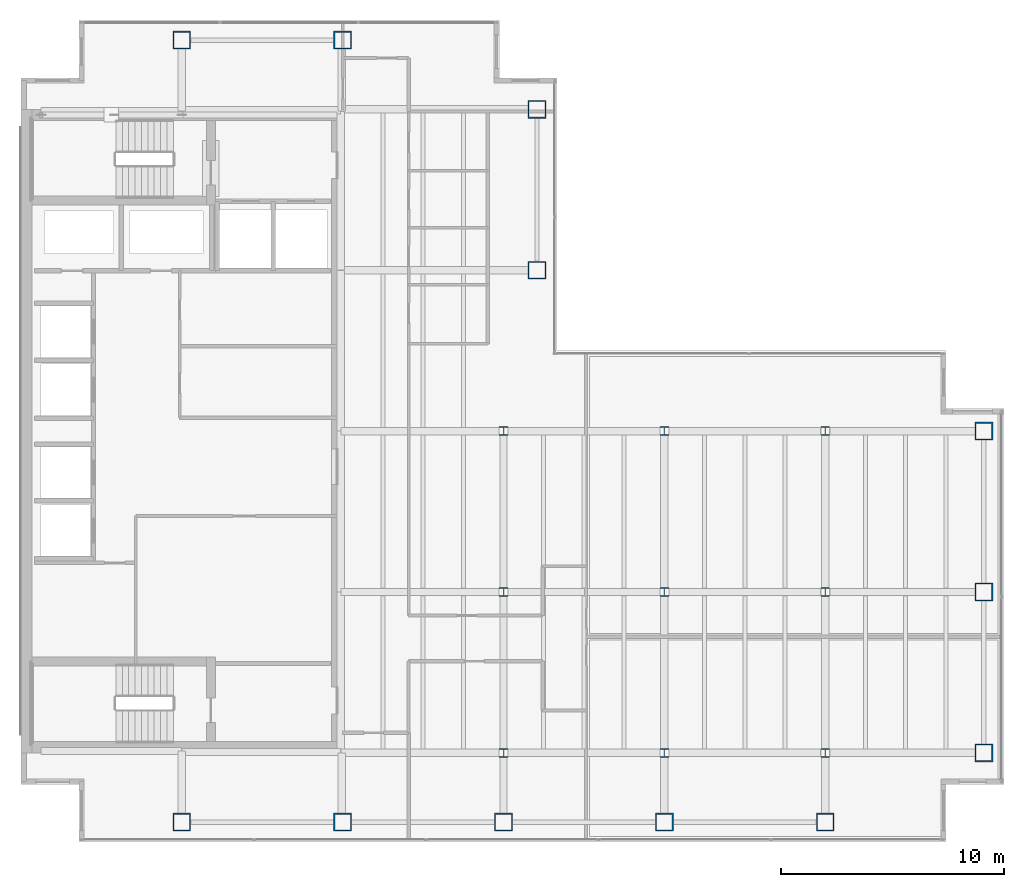
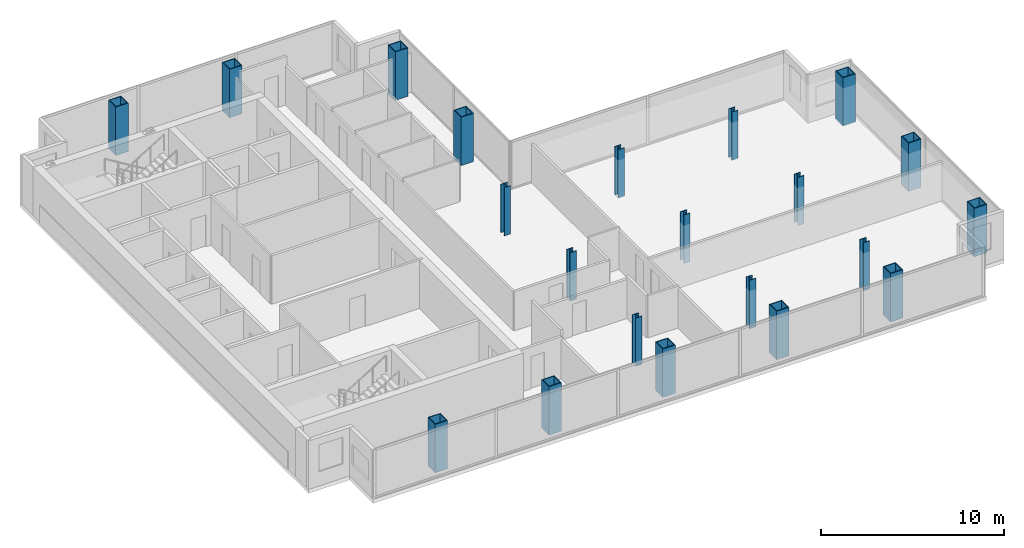
# One storey, part 1 of 23: 21 columns.
"""IFC4 building model written with IfcOpenShell, lengths in metres."""

from ifc_helpers import new_model, si_unit, direction, frame, origin, origin_2d, place, context, subcontext, project, spatial, hollow_rectangle, i_section, extrude, material, material_profile, profile_set, type_object, element, save


model = new_model("IFC4")

# Units and contexts
model_context = context("Model", 3, precision=1e-05, world=origin(), true_north=direction((0.0, 1.0)))
body_context = subcontext(model_context, "Body", "Model", "MODEL_VIEW")
ifc_project = project(units=[si_unit("LENGTHUNIT", "METRE"), si_unit("AREAUNIT", "SQUARE_METRE"), si_unit("VOLUMEUNIT", "CUBIC_METRE"), si_unit("PLANEANGLEUNIT", "RADIAN"), si_unit("MASSUNIT", "GRAM", prefix="KILO")], contexts=[model_context])

# Site, building, storey
site_placement = place(None, origin())
site = spatial("IfcSite", under=ifc_project, at=site_placement, CompositionType="ELEMENT")
building_placement = place(site_placement, origin())
building = spatial("IfcBuilding", under=site, at=building_placement, Name="Cobrela Telecom Tower", CompositionType="ELEMENT")
storey_placement = place(building_placement, frame((0.0, 0.0, 197.75)))
storey = spatial("IfcBuildingStorey", under=building, at=storey_placement, Name="L50", CompositionType="ELEMENT", Elevation=197.75)

# Columns
ifc_material_1 = material(Name="Steel ASTM A992 Grade 50", Category="steel")
ifc_material_profile_1 = material_profile(ifc_material_1, i_section(OverallWidth=0.39892578125, OverallDepth=0.39404296875, WebThickness=0.022705078125, FlangeThickness=0.03662109375, FilletRadius=0.01806640625, at=origin_2d()), Name="W14X193")
ifc_profile_set_1 = profile_set([ifc_material_profile_1], Name="Steel ASTM A992 Grade 50")
column_type_1 = type_object("IfcColumnType", Name="COL-INT-06", PredefinedType="COLUMN", material=ifc_profile_set_1)
for number, where, z_axis, x_axis, name in (
    (1, (21.60009765625, 7.199951171875, 0.0), (0.0, 0.0, 1.0), (1.0, 0.0, 0.0), "L50 Interior Column 06"),
    (2, (21.60009765625, 14.39990234375, 0.0), (0.0, 0.0, 1.0), (1.0, 0.0, 0.0), "L50 Interior Column 07"),
    (3, (21.60009765625, 21.60009765625, 0.0), (0.0, 0.0, 1.0), (1.0, 0.0, 0.0), "L50 Interior Column 08"),
    (4, (28.800048828125, 7.199951171875, 0.0), (0.0, 0.0, 1.0), (1.0, 0.0, 0.0), "L50 Interior Column 12"),
    (5, (28.800048828125, 14.39990234375, 0.0), (0.0, 0.0, 1.0), (1.0, 0.0, 0.0), "L50 Interior Column 13"),
    (6, (28.800048828125, 21.60009765625, 0.0), (0.0, 0.0, 1.0), (1.0, 0.0, 0.0), "L50 Interior Column 14"),
    (7, (36.0, 7.199951171875, 0.0), (0.0, 0.0, 1.0), (1.0, 0.0, 0.0), "L50 Interior Column 16"),
    (8, (36.0, 14.39990234375, 0.0), (0.0, 0.0, 1.0), (1.0, 0.0, 0.0), "L50 Interior Column 17"),
    (9, (36.0, 21.60009765625, 0.0), (0.0, 0.0, 1.0), (1.0, 0.0, 0.0), "L50 Interior Column 18"),
):
    element("IfcColumn", number, at=place(storey_placement, frame(where, z_axis=z_axis, x_axis=x_axis)), inside=storey, type_object=column_type_1, Name=name, PredefinedType="COLUMN", context=body_context, shape_type="SweptSolid", body=[
        extrude(i_section(OverallWidth=0.39892578125, OverallDepth=0.39404296875, WebThickness=0.022705078125, FlangeThickness=0.03662109375, FilletRadius=0.01806640625, at=origin_2d()), origin(), (0.0, 0.0, 1.0), 3.239990234375),
    ])
ifc_material_2 = material(Name="Steel ASTM A572 Grade 50", Category="steel")
ifc_material_profile_2 = material_profile(ifc_material_2, hollow_rectangle(XDim=0.800048828125, YDim=0.800048828125, WallThickness=0.050048828125, at=origin_2d()), Name="BOX 800x800x50")
ifc_profile_set_2 = profile_set([ifc_material_profile_2], Name="Steel ASTM A572 Grade 50")
column_type_2 = type_object("IfcColumnType", Name="COL-MEGA-07", PredefinedType="COLUMN", material=ifc_profile_set_2)
for number, where, z_axis, x_axis, name in (
    (10, (7.199951171875, 4.10009765625, 0.0), (0.0, 0.0, 1.0), (1.0, 0.0, 0.0), "L50 Perimeter Mega-Column 01"),
    (11, (7.199951171875, 39.10009765625, 0.0), (0.0, 0.0, 1.0), (1.0, 0.0, 0.0), "L50 Perimeter Mega-Column 02"),
    (12, (14.39990234375, 4.10009765625, 0.0), (0.0, 0.0, 1.0), (1.0, 0.0, 0.0), "L50 Perimeter Mega-Column 03"),
    (13, (14.39990234375, 39.10009765625, 0.0), (0.0, 0.0, 1.0), (1.0, 0.0, 0.0), "L50 Perimeter Mega-Column 04"),
    (14, (21.60009765625, 4.10009765625, 0.0), (0.0, 0.0, 1.0), (1.0, 0.0, 0.0), "L50 Perimeter Mega-Column 05"),
    (15, (23.10009765625, 28.800048828125, 0.0), (0.0, 0.0, 1.0), (1.0, 0.0, 0.0), "L50 Perimeter Mega-Column 09"),
    (16, (23.10009765625, 36.0, 0.0), (0.0, 0.0, 1.0), (1.0, 0.0, 0.0), "L50 Perimeter Mega-Column 10"),
    (17, (28.800048828125, 4.10009765625, 0.0), (0.0, 0.0, 1.0), (1.0, 0.0, 0.0), "L50 Perimeter Mega-Column 11"),
    (18, (36.0, 4.10009765625, 0.0), (0.0, 0.0, 1.0), (1.0, 0.0, 0.0), "L50 Perimeter Mega-Column 15"),
    (19, (43.10009765625, 7.199951171875, 0.0), (0.0, 0.0, 1.0), (1.0, 0.0, 0.0), "L50 Perimeter Mega-Column 19"),
    (20, (43.10009765625, 14.39990234375, 0.0), (0.0, 0.0, 1.0), (1.0, 0.0, 0.0), "L50 Perimeter Mega-Column 20"),
    (21, (43.10009765625, 21.60009765625, 0.0), (0.0, 0.0, 1.0), (1.0, 0.0, 0.0), "L50 Perimeter Mega-Column 21"),
):
    element("IfcColumn", number, at=place(storey_placement, frame(where, z_axis=z_axis, x_axis=x_axis)), inside=storey, type_object=column_type_2, Name=name, PredefinedType="COLUMN", context=body_context, shape_type="SweptSolid", body=[
        extrude(hollow_rectangle(XDim=0.800048828125, YDim=0.800048828125, WallThickness=0.050048828125, at=origin_2d()), origin(), (0.0, 0.0, 1.0), 3.239990234375),
    ])

save(model, "model.ifc")
